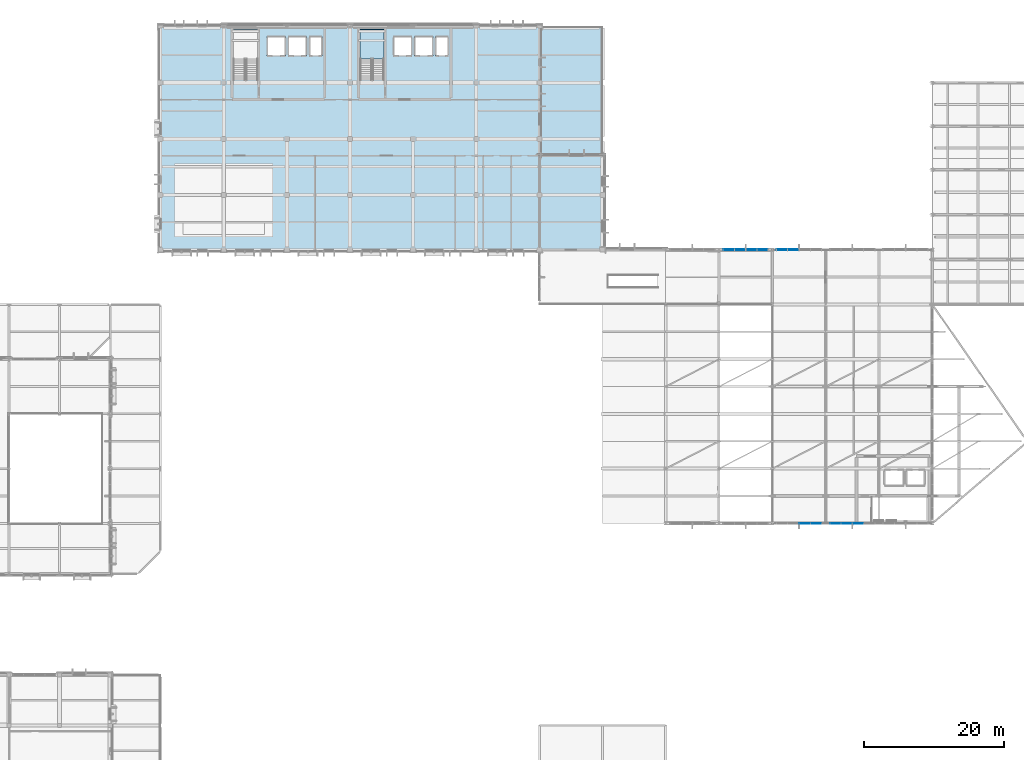
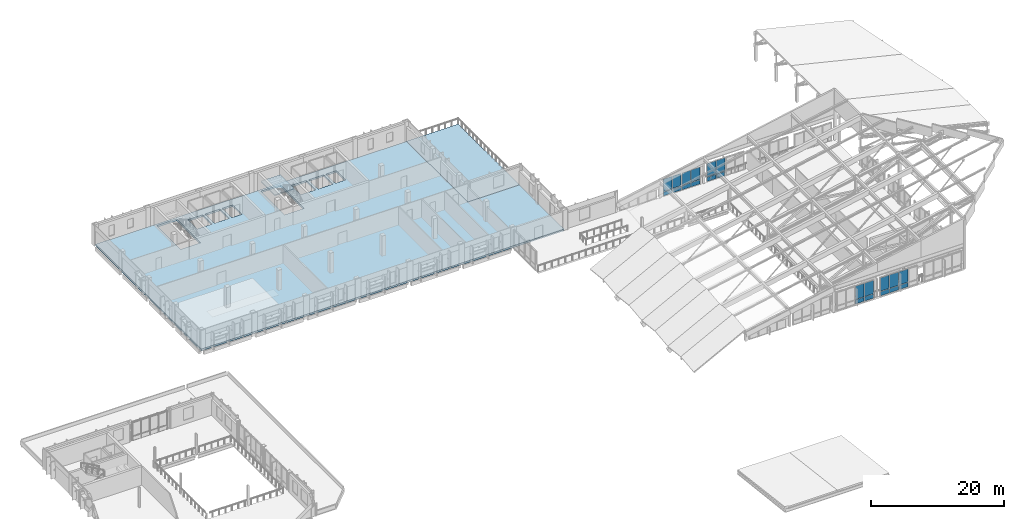
# One storey, part 40 of 73: 22 plates, 3 slabs, 7 elements without a shape of their own.
"""IFC4 building model written with IfcOpenShell, lengths in metres."""

import ifcopenshell
import ifcopenshell.guid

model = None  # the IFC model being written
_history = None  # IfcOwnerHistory: only IFC2X3 demands one
_inside = {}  # id of a spatial element -> (the spatial element, [elements in it])
_under = {}  # id of a project, library or spatial element -> (it, [spatial elements below it])
_declared = {}  # id of a project -> (the project, [libraries it declares])
_typed = {}  # id of a type object -> (the type object, [elements of that type])
_made_of = {}  # id of a material, layer set ... -> (it, [elements and type objects made of it])


def new_model(schema):
    """Start an empty IFC model of exactly this schema.

    Asked for "IFC4X3", IfcOpenShell would pick the latest addendum, in which some entities
    have other attributes; the version numbers below select the first issue.
    IFC2X3 requires an IfcOwnerHistory on every rooted entity: one is made here for all.
    """
    global model, _history
    if schema == "IFC4X3":
        model = ifcopenshell.file(schema_version=(4, 3, 0, 0))
    else:
        model = ifcopenshell.file(schema=schema)
    _inside.clear()
    _under.clear()
    _declared.clear()
    _typed.clear()
    _made_of.clear()
    _history = None
    if model.schema == "IFC2X3":
        org = make("IfcOrganization", Name="unknown")
        user = make(
            "IfcPersonAndOrganization",
            ThePerson=make("IfcPerson", FamilyName="unknown"),
            TheOrganization=org,
        )
        app = make(
            "IfcApplication",
            ApplicationDeveloper=org,
            Version="unknown",
            ApplicationFullName="unknown",
            ApplicationIdentifier="unknown",
        )
        _history = make(
            "IfcOwnerHistory",
            OwningUser=user,
            OwningApplication=app,
            ChangeAction="ADDED",
            CreationDate=0,
        )
    return model


def make(cls, **values):
    """One entity of the class cls with the attributes given. An attribute that is None is left unset."""
    return model.create_entity(
        cls, **{name: value for name, value in values.items() if value is not None}
    )


def rooted(cls, **values):
    """An entity with a GlobalId (a new one), such as an element, a storey or a relation."""
    return make(cls, GlobalId=ifcopenshell.guid.new(), OwnerHistory=_history, **values)


def si_unit(unit_type, name, prefix=None):
    """IfcSIUnit, for example si_unit("LENGTHUNIT", "METRE", prefix="MILLI")."""
    return make("IfcSIUnit", UnitType=unit_type, Prefix=prefix, Name=name)


def assignment(units):
    """IfcUnitAssignment: the units of a project."""
    return None if units is None else make("IfcUnitAssignment", Units=units)


def point(xyz):
    """IfcCartesianPoint."""
    return None if xyz is None else make("IfcCartesianPoint", Coordinates=xyz)


def direction(xyz):
    """IfcDirection."""
    return None if xyz is None else make("IfcDirection", DirectionRatios=xyz)


def frame(location, z_axis=None, x_axis=None):
    """IfcAxis2Placement3D, a coordinate frame: its origin and axes. An axis left out is left unset."""
    return make(
        "IfcAxis2Placement3D",
        Location=point(location),
        Axis=direction(z_axis),
        RefDirection=direction(x_axis),
    )


def frame_2d(location, x_axis=None):
    """IfcAxis2Placement2D, a coordinate frame in the plane: its origin and x axis."""
    return make(
        "IfcAxis2Placement2D", Location=point(location), RefDirection=direction(x_axis)
    )


def origin():
    """The frame at (0, 0, 0) with its axes left unset."""
    return frame((0.0, 0.0, 0.0))


def origin_2d():
    """The frame at (0, 0) in the plane with its x axis left unset."""
    return frame_2d((0.0, 0.0))


def place(relative_to, where):
    """IfcLocalPlacement: puts the frame where relative to a parent placement (None: the world)."""
    return make(
        "IfcLocalPlacement", PlacementRelTo=relative_to, RelativePlacement=where
    )


def context(
    kind, dimensions, precision=None, world=None, true_north=None, identifier=None
):
    """IfcGeometricRepresentationContext, for example the 3D "Model" context."""
    return make(
        "IfcGeometricRepresentationContext",
        ContextIdentifier=identifier,
        ContextType=kind,
        CoordinateSpaceDimension=dimensions,
        Precision=precision,
        WorldCoordinateSystem=world,
        TrueNorth=true_north,
    )


def subcontext(parent, identifier, kind, view, scale=None):
    """IfcGeometricRepresentationSubContext, for example "Body" below "Model"."""
    return make(
        "IfcGeometricRepresentationSubContext",
        ContextIdentifier=identifier,
        ContextType=kind,
        ParentContext=parent,
        TargetScale=scale,
        TargetView=view,
    )


def project(units=None, contexts=None):
    """IfcProject with its units and contexts."""
    return rooted(
        "IfcProject",
        Name="project",
        RepresentationContexts=contexts,
        UnitsInContext=assignment(units),
    )


def spatial(cls, under=None, at=None, **own):
    """A site, building, storey or space (cls), placed at a placement, below another one or the project."""
    s = rooted(cls, ObjectPlacement=at, **own)
    if under is not None:
        _under.setdefault(under.id(), (under, []))[1].append(s)
    return s


def polyline(points):
    """IfcPolyline through the points."""
    return make("IfcPolyline", Points=[point(p) for p in points])


def profile(cls, at=None, kind="AREA", **sizes):
    """A parametric profile (cls). Its sizes go by their IFC names, for example OverallWidth=200.0."""
    return make(cls, ProfileType=kind, Position=at, **sizes)


def rectangle(**sizes):
    """IfcRectangleProfileDef."""
    return profile("IfcRectangleProfileDef", **sizes)


def outline(outer, holes=None, kind="AREA"):
    """IfcArbitraryClosedProfileDef: a profile drawn as a closed curve; with holes, ...WithVoids."""
    if holes is None:
        return make("IfcArbitraryClosedProfileDef", ProfileType=kind, OuterCurve=outer)
    return make(
        "IfcArbitraryProfileDefWithVoids",
        ProfileType=kind,
        OuterCurve=outer,
        InnerCurves=holes,
    )


def extrude(swept, where, along, depth):
    """IfcExtrudedAreaSolid: the profile swept, set in the frame where, extruded along a direction by depth."""
    return make(
        "IfcExtrudedAreaSolid",
        SweptArea=swept,
        Position=where,
        ExtrudedDirection=direction(along),
        Depth=depth,
    )


def shape(context_of_items, identifier, shape_type, items):
    """IfcShapeRepresentation: the items that make up one representation, for example the "Body"."""
    return make(
        "IfcShapeRepresentation",
        ContextOfItems=context_of_items,
        RepresentationIdentifier=identifier,
        RepresentationType=shape_type,
        Items=items,
    )


def material(Name=None, Category=None):
    """IfcMaterial."""
    return make("IfcMaterial", Name=Name, Category=Category)


def layer(
    of_material, thickness, ventilated=None, Name=None, Category=None, Priority=None
):
    """IfcMaterialLayer: one layer of a wall or slab, of a material (None: an air gap)."""
    return make(
        "IfcMaterialLayer",
        Material=of_material,
        LayerThickness=thickness,
        IsVentilated=ventilated,
        Name=Name,
        Category=Category,
        Priority=Priority,
    )


def layer_set(layers, Name=None):
    """IfcMaterialLayerSet."""
    return make("IfcMaterialLayerSet", MaterialLayers=layers, LayerSetName=Name)


def made_of(thing, what):
    """Note that an element or type object is made of a material, layer set ...; save() writes the relation."""
    if what is not None:
        _made_of.setdefault(what.id(), (what, []))[1].append(thing)
    return thing


def type_object(cls, material=None, **own):
    """A type object (cls), such as IfcWallType, which elements share."""
    return made_of(rooted(cls, **own), material)


def element(
    cls,
    number,
    at=None,
    inside=None,
    cuts=None,
    type_object=None,
    material=None,
    context=None,
    identifier="Body",
    shape_type=None,
    held_by="IfcProductDefinitionShape",
    body=None,
    shapes=None,
    **own,
):
    """One element of the class cls, such as IfcWall. Its Tag is "e" and its number.

    at: its placement. inside: the storey or other place that contains it. cuts: it is an
    opening in that element (IfcRelVoidsElement). A single representation is given by context,
    identifier, shape_type and body (its items); several are given by shapes. held_by: the class
    of the entity that holds the representations. save() writes the other relations.
    """
    e = rooted(cls, Tag="e%d" % number, ObjectPlacement=at, **own)
    if body is not None:
        shapes = [shape(context, identifier, shape_type, body)]
    if shapes is not None:
        e.Representation = make(held_by, Representations=shapes)
    if inside is not None:
        _inside.setdefault(inside.id(), (inside, []))[1].append(e)
    if cuts is not None:
        rooted(
            "IfcRelVoidsElement", RelatingBuildingElement=cuts, RelatedOpeningElement=e
        )
    if type_object is not None:
        _typed.setdefault(type_object.id(), (type_object, []))[1].append(e)
    return made_of(e, material)


def aggregate(whole, parts):
    """IfcRelAggregates: a whole, such as a stair, and the parts it consists of."""
    return rooted("IfcRelAggregates", RelatingObject=whole, RelatedObjects=parts)


def save(model, path):
    """Write the relations noted so far, then the file.

    IfcRelAggregates (storeys below a building ...), IfcRelContainedInSpatialStructure (elements
    in a storey), IfcRelDefinesByType, IfcRelAssociatesMaterial and IfcRelDeclares: one each for
    every whole, place, type object, material and project.
    """
    for whole, parts in _under.values():
        aggregate(whole, parts)
    for where, things in _inside.values():
        rooted(
            "IfcRelContainedInSpatialStructure",
            RelatedElements=things,
            RelatingStructure=where,
        )
    for kind, things in _typed.values():
        rooted("IfcRelDefinesByType", RelatedObjects=things, RelatingType=kind)
    for what, things in _made_of.values():
        rooted("IfcRelAssociatesMaterial", RelatedObjects=things, RelatingMaterial=what)
    for by, libraries in _declared.values():
        rooted("IfcRelDeclares", RelatingContext=by, RelatedDefinitions=libraries)
    model.write(path)


model = new_model("IFC4")

# Units and contexts
model_context = context("Model", 3, precision=1e-05, world=origin(), true_north=direction((0.0, 1.0)))
body_context = subcontext(model_context, "Body", "Model", "MODEL_VIEW")
ifc_project = project(units=[si_unit("LENGTHUNIT", "METRE"), si_unit("AREAUNIT", "SQUARE_METRE"), si_unit("VOLUMEUNIT", "CUBIC_METRE"), si_unit("PLANEANGLEUNIT", "RADIAN"), si_unit("MASSUNIT", "GRAM", prefix="KILO")], contexts=[model_context])

# Site, building, storey
site_placement = place(None, origin())
site = spatial("IfcSite", under=ifc_project, at=site_placement, CompositionType="ELEMENT")
building_placement = place(site_placement, origin())
building = spatial("IfcBuilding", under=site, at=building_placement, Name="Vervanel Yard Central Library", CompositionType="ELEMENT")
storey_placement = place(building_placement, frame((0.0, 0.0, 12.780029296875)))
storey = spatial("IfcBuildingStorey", under=building, at=storey_placement, Name="L03", CompositionType="ELEMENT", Elevation=12.780029296875)

# Slab
ifc_material_1 = material(Name="Concrete C45/55", Category="concrete")
ifc_layer_1 = layer(ifc_material_1, 0.330078125, Category="concrete")
ifc_layer_set_1 = layer_set([ifc_layer_1], Name="Concrete C45/55")
slab_type_1 = type_object("IfcSlabType", Name="Compact Archive Floor Slab 330", PredefinedType="FLOOR", material=ifc_layer_set_1)
slab_1_placement = place(storey_placement, frame((0.0, 0.0, -0.330078125)))
element("IfcSlab", 1, at=slab_1_placement, inside=storey, type_object=slab_type_1, Name="L03 V1 Compact Archive Floor Slab 330", PredefinedType="FLOOR", context=body_context, shape_type="SweptSolid", body=[
    extrude(outline(polyline([(36.0, 82.199951171875), (99.0, 82.199951171875), (99.0, 95.60009765625), (90.0, 95.60009765625), (90.0, 114.0), (36.0, 114.0), (36.0, 82.199951171875)]), holes=[polyline([(46.389892578125, 106.43505859375), (49.85009765625, 106.43505859375), (49.85009765625, 113.60009765625), (46.389892578125, 113.60009765625), (46.389892578125, 106.43505859375)]), polyline([(51.199951171875, 109.800048828125), (53.800048828125, 109.800048828125), (53.800048828125, 112.60009765625), (51.199951171875, 112.60009765625), (51.199951171875, 109.800048828125)]), polyline([(54.199951171875, 109.800048828125), (56.800048828125, 109.800048828125), (56.800048828125, 112.60009765625), (54.199951171875, 112.60009765625), (54.199951171875, 109.800048828125)]), polyline([(57.199951171875, 109.800048828125), (59.0, 109.800048828125), (59.0, 112.60009765625), (57.199951171875, 112.60009765625), (57.199951171875, 109.800048828125)]), polyline([(64.449951171875, 106.43505859375), (67.85009765625, 106.43505859375), (67.85009765625, 113.60009765625), (64.449951171875, 113.60009765625), (64.449951171875, 106.43505859375)]), polyline([(69.199951171875, 109.800048828125), (71.800048828125, 109.800048828125), (71.800048828125, 112.60009765625), (69.199951171875, 112.60009765625), (69.199951171875, 109.800048828125)]), polyline([(72.199951171875, 109.800048828125), (74.800048828125, 109.800048828125), (74.800048828125, 112.60009765625), (72.199951171875, 112.60009765625), (72.199951171875, 109.800048828125)]), polyline([(75.199951171875, 109.800048828125), (77.0, 109.800048828125), (77.0, 112.60009765625), (75.199951171875, 112.60009765625), (75.199951171875, 109.800048828125)])]), origin(), (0.0, 0.0, 1.0), 0.330078125),
])

# Stair, slab
ifc_material_2 = material(Name="Concrete C40/50", Category="concrete")
stair_type = type_object("IfcStairType", Name="Protected Core Dog-Leg Stair ST-02", PredefinedType="HALF_TURN_STAIR", material=ifc_material_2)
stair_placement = place(storey_placement, origin())
stair = element("IfcStair", 2, at=stair_placement, inside=storey, type_object=stair_type, Name="L03 CORE-B Protected Exit Stair", PredefinedType="HALF_TURN_STAIR")
ifc_layer_2 = layer(ifc_material_2, 0.199951171875, Category="concrete")
ifc_layer_set_2 = layer_set([ifc_layer_2], Name="Concrete C40/50")
slab_type_2 = type_object("IfcSlabType", Name="Core Stair Concrete Landing Slab 200", PredefinedType="LANDING", material=ifc_layer_set_2)
slab_2_placement = place(storey_placement, frame((0.0, 0.0, 1.669921875)))
slab_2 = element("IfcSlab", 3, at=slab_2_placement, type_object=slab_type_2, Name="ST-02 landing 1", PredefinedType="LANDING", context=body_context, shape_type="SweptSolid", body=[
    extrude(outline(polyline([(67.85009765625, 109.39990234375), (67.85009765625, 113.60009765625), (64.449951171875, 113.60009765625), (64.449951171875, 109.39990234375), (67.85009765625, 109.39990234375)])), origin(), (0.0, 0.0, 1.0), 0.199951171875),
])
aggregate(stair, [slab_2])

# Slab
ifc_layer_3 = layer(ifc_material_2, 0.340087890625, Category="concrete")
ifc_layer_set_3 = layer_set([ifc_layer_3], Name="Concrete C40/50")
slab_type_3 = type_object("IfcSlabType", Name="Planted Roof Garden Terrace Slab 340", PredefinedType="FLOOR", material=ifc_layer_set_3)
slab_3_placement = place(storey_placement, frame((0.0, 0.0, -0.340087890625)))
element("IfcSlab", 4, at=slab_3_placement, inside=storey, type_object=slab_type_3, Name="L03 Humanities Planted Roof Terrace", PredefinedType="FLOOR", context=body_context, shape_type="SweptSolid", body=[
    extrude(outline(polyline([(90.0, 95.60009765625), (99.0, 95.60009765625), (99.0, 114.0), (90.0, 114.0), (90.0, 95.60009765625)])), origin(), (0.0, 0.0, 1.0), 0.340087890625),
])

# Curtain wall, plates
ifc_material_3 = material(Name="Thermally broken anodized aluminium 6063-T6", Category="aluminium")
curtain_wall_type = type_object("IfcCurtainWallType", Name="Prow Cantilever Glazed Curtain Wall", PredefinedType="NOTDEFINED", material=ifc_material_3)
curtain_wall_1_placement = place(storey_placement, origin())
curtain_wall_1 = element("IfcCurtainWall", 5, at=curtain_wall_1_placement, inside=storey, type_object=curtain_wall_type, Name="L03 Prow Cantilever Glazed Curtain Wall CWR-L03-081", PredefinedType="NOTDEFINED")
ifc_material_4 = material(Name="Double low-E laminated solar-control glass", Category="glass")
ifc_layer_4 = layer(ifc_material_4, 0.0380859375, Category="glass")
ifc_layer_set_4 = layer_set([ifc_layer_4], Name="Double low-E laminated solar-control glass")
plate_type_1 = type_object("IfcPlateType", Name="Reading Hall Acoustic Vision Panel 38", PredefinedType="CURTAIN_PANEL", material=ifc_layer_set_4)
plate_1_placement = place(storey_placement, frame((127.827392578125, 43.199951171875, 0.884765625), z_axis=(0.0, 0.0, 1.0), x_axis=(1.0, 0.0, 0.0)))
plate_1 = element("IfcPlate", 6, at=plate_1_placement, type_object=plate_type_1, Name="CWR-L03-081 Panel B1-2", PredefinedType="CURTAIN_PANEL", context=body_context, shape_type="SweptSolid", body=[
    extrude(rectangle(XDim=1.514892578125, YDim=0.0380859375, at=origin_2d()), origin(), (0.0, 0.0, 1.0), 2.445068359375),
])
plate_2_placement = place(storey_placement, frame((129.41259765625, 43.199951171875, 0.884765625), z_axis=(0.0, 0.0, 1.0), x_axis=(1.0, 0.0, 0.0)))
plate_2 = element("IfcPlate", 7, at=plate_2_placement, type_object=plate_type_1, Name="CWR-L03-081 Panel B2-2", PredefinedType="CURTAIN_PANEL", context=body_context, shape_type="SweptSolid", body=[
    extrude(rectangle(XDim=1.514892578125, YDim=0.0380859375, at=origin_2d()), origin(), (0.0, 0.0, 1.0), 2.445068359375),
])

curtain_wall_2_placement = place(storey_placement, origin())
curtain_wall_2 = element("IfcCurtainWall", 8, at=curtain_wall_2_placement, inside=storey, type_object=curtain_wall_type, Name="L03 Prow Cantilever Glazed Curtain Wall CWR-L03-082", PredefinedType="NOTDEFINED")
plate_3_placement = place(storey_placement, frame((132.1875, 43.199951171875, 0.884765625), z_axis=(0.0, 0.0, 1.0), x_axis=(1.0, 0.0, 0.0)))
plate_3 = element("IfcPlate", 9, at=plate_3_placement, type_object=plate_type_1, Name="CWR-L03-082 Panel B1-2", PredefinedType="CURTAIN_PANEL", context=body_context, shape_type="SweptSolid", body=[
    extrude(rectangle(XDim=1.514892578125, YDim=0.0380859375, at=origin_2d()), origin(), (0.0, 0.0, 1.0), 2.445068359375),
])
plate_4_placement = place(storey_placement, frame((133.7724609375, 43.199951171875, 0.884765625), z_axis=(0.0, 0.0, 1.0), x_axis=(1.0, 0.0, 0.0)))
plate_4 = element("IfcPlate", 10, at=plate_4_placement, type_object=plate_type_1, Name="CWR-L03-082 Panel B2-2", PredefinedType="CURTAIN_PANEL", context=body_context, shape_type="SweptSolid", body=[
    extrude(rectangle(XDim=1.514892578125, YDim=0.0380859375, at=origin_2d()), origin(), (0.0, 0.0, 1.0), 2.445068359375),
])

# Curtain wall, plate
curtain_wall_3_placement = place(storey_placement, origin())
curtain_wall_3 = element("IfcCurtainWall", 11, at=curtain_wall_3_placement, inside=storey, type_object=curtain_wall_type, Name="L03 Prow Cantilever Glazed Curtain Wall CWR-L03-083", PredefinedType="NOTDEFINED")
plate_5_placement = place(storey_placement, frame((135.427490234375, 43.199951171875, 0.884765625), z_axis=(0.0, 0.0, 1.0), x_axis=(1.0, 0.0, 0.0)))
plate_5 = element("IfcPlate", 12, at=plate_5_placement, type_object=plate_type_1, Name="CWR-L03-083 Panel B1-2", PredefinedType="CURTAIN_PANEL", context=body_context, shape_type="SweptSolid", body=[
    extrude(rectangle(XDim=1.514892578125, YDim=0.0380859375, at=origin_2d()), origin(), (0.0, 0.0, 1.0), 2.445068359375),
])

# Curtain wall, plates
curtain_wall_4_placement = place(storey_placement, origin())
curtain_wall_4 = element("IfcCurtainWall", 13, at=curtain_wall_4_placement, inside=storey, type_object=curtain_wall_type, Name="L03 Prow Cantilever Glazed Curtain Wall CWR-L03-110", PredefinedType="NOTDEFINED")
plate_6_placement = place(storey_placement, frame((116.987548828125, 82.199951171875, 0.885009765625), z_axis=(0.0, 0.0, 1.0), x_axis=(1.0, 0.0, 0.0)))
plate_6 = element("IfcPlate", 14, at=plate_6_placement, type_object=plate_type_1, Name="CWR-L03-110 Panel B1-2", PredefinedType="CURTAIN_PANEL", context=body_context, shape_type="SweptSolid", body=[
    extrude(rectangle(XDim=1.514892578125, YDim=0.0380859375, at=origin_2d()), origin(), (0.0, 0.0, 1.0), 2.2421875),
])
plate_7_placement = place(storey_placement, frame((118.572509765625, 82.199951171875, 0.885009765625), z_axis=(0.0, 0.0, 1.0), x_axis=(1.0, 0.0, 0.0)))
plate_7 = element("IfcPlate", 15, at=plate_7_placement, type_object=plate_type_1, Name="CWR-L03-110 Panel B2-2", PredefinedType="CURTAIN_PANEL", context=body_context, shape_type="SweptSolid", body=[
    extrude(rectangle(XDim=1.514892578125, YDim=0.0380859375, at=origin_2d()), origin(), (0.0, 0.0, 1.0), 2.2421875),
])

curtain_wall_5_placement = place(storey_placement, origin())
curtain_wall_5 = element("IfcCurtainWall", 16, at=curtain_wall_5_placement, inside=storey, type_object=curtain_wall_type, Name="L03 Prow Cantilever Glazed Curtain Wall CWR-L03-111", PredefinedType="NOTDEFINED")
plate_8_placement = place(storey_placement, frame((120.2275390625, 82.199951171875, 0.885009765625), z_axis=(0.0, 0.0, 1.0), x_axis=(1.0, 0.0, 0.0)))
plate_8 = element("IfcPlate", 17, at=plate_8_placement, type_object=plate_type_1, Name="CWR-L03-111 Panel B1-2", PredefinedType="CURTAIN_PANEL", context=body_context, shape_type="SweptSolid", body=[
    extrude(rectangle(XDim=1.514892578125, YDim=0.0380859375, at=origin_2d()), origin(), (0.0, 0.0, 1.0), 2.2421875),
])
plate_9_placement = place(storey_placement, frame((121.8125, 82.199951171875, 0.885009765625), z_axis=(0.0, 0.0, 1.0), x_axis=(1.0, 0.0, 0.0)))
plate_9 = element("IfcPlate", 18, at=plate_9_placement, type_object=plate_type_1, Name="CWR-L03-111 Panel B2-2", PredefinedType="CURTAIN_PANEL", context=body_context, shape_type="SweptSolid", body=[
    extrude(rectangle(XDim=1.514892578125, YDim=0.0380859375, at=origin_2d()), origin(), (0.0, 0.0, 1.0), 2.2421875),
])

curtain_wall_6_placement = place(storey_placement, origin())
curtain_wall_6 = element("IfcCurtainWall", 19, at=curtain_wall_6_placement, inside=storey, type_object=curtain_wall_type, Name="L03 Prow Cantilever Glazed Curtain Wall CWR-L03-112", PredefinedType="NOTDEFINED")
plate_10_placement = place(storey_placement, frame((124.58740234375, 82.199951171875, 0.884765625), z_axis=(0.0, 0.0, 1.0), x_axis=(1.0, 0.0, 0.0)))
plate_10 = element("IfcPlate", 20, at=plate_10_placement, type_object=plate_type_1, Name="CWR-L03-112 Panel B1-2", PredefinedType="CURTAIN_PANEL", context=body_context, shape_type="SweptSolid", body=[
    extrude(rectangle(XDim=1.514892578125, YDim=0.0380859375, at=origin_2d()), origin(), (0.0, 0.0, 1.0), 2.445068359375),
])
plate_11_placement = place(storey_placement, frame((126.172607421875, 82.199951171875, 0.884765625), z_axis=(0.0, 0.0, 1.0), x_axis=(1.0, 0.0, 0.0)))
plate_11 = element("IfcPlate", 21, at=plate_11_placement, type_object=plate_type_1, Name="CWR-L03-112 Panel B2-2", PredefinedType="CURTAIN_PANEL", context=body_context, shape_type="SweptSolid", body=[
    extrude(rectangle(XDim=1.514892578125, YDim=0.0380859375, at=origin_2d()), origin(), (0.0, 0.0, 1.0), 2.445068359375),
])

# Plate
ifc_material_5 = material(Name="Insulated bronze aluminium spandrel panel", Category="aluminium")
ifc_layer_5 = layer(ifc_material_5, 0.094970703125, Category="aluminium")
ifc_layer_set_5 = layer_set([ifc_layer_5], Name="Insulated bronze aluminium spandrel panel")
plate_type_2 = type_object("IfcPlateType", Name="Reading Hall Shadow-Box Spandrel 95", PredefinedType="CURTAIN_PANEL", material=ifc_layer_set_5)
plate_12_placement = place(storey_placement, frame((127.827392578125, 43.199951171875, 0.06982421875), z_axis=(0.0, 0.0, 1.0), x_axis=(1.0, 0.0, 0.0)))
plate_12 = element("IfcPlate", 22, at=plate_12_placement, type_object=plate_type_2, Name="CWR-L03-081 Panel B1-1", PredefinedType="CURTAIN_PANEL", context=body_context, shape_type="SweptSolid", body=[
    extrude(rectangle(XDim=1.514892578125, YDim=0.094970703125, at=origin_2d()), origin(), (0.0, 0.0, 1.0), 0.7451171875),
])

plate_13_placement = place(storey_placement, frame((129.41259765625, 43.199951171875, 0.06982421875), z_axis=(0.0, 0.0, 1.0), x_axis=(1.0, 0.0, 0.0)))
plate_13 = element("IfcPlate", 23, at=plate_13_placement, type_object=plate_type_2, Name="CWR-L03-081 Panel B2-1", PredefinedType="CURTAIN_PANEL", context=body_context, shape_type="SweptSolid", body=[
    extrude(rectangle(XDim=1.514892578125, YDim=0.094970703125, at=origin_2d()), origin(), (0.0, 0.0, 1.0), 0.7451171875),
])

aggregate(curtain_wall_1, [plate_12, plate_1, plate_13, plate_2])

plate_14_placement = place(storey_placement, frame((132.1875, 43.199951171875, 0.06982421875), z_axis=(0.0, 0.0, 1.0), x_axis=(1.0, 0.0, 0.0)))
plate_14 = element("IfcPlate", 24, at=plate_14_placement, type_object=plate_type_2, Name="CWR-L03-082 Panel B1-1", PredefinedType="CURTAIN_PANEL", context=body_context, shape_type="SweptSolid", body=[
    extrude(rectangle(XDim=1.514892578125, YDim=0.094970703125, at=origin_2d()), origin(), (0.0, 0.0, 1.0), 0.7451171875),
])

plate_15_placement = place(storey_placement, frame((133.7724609375, 43.199951171875, 0.06982421875), z_axis=(0.0, 0.0, 1.0), x_axis=(1.0, 0.0, 0.0)))
plate_15 = element("IfcPlate", 25, at=plate_15_placement, type_object=plate_type_2, Name="CWR-L03-082 Panel B2-1", PredefinedType="CURTAIN_PANEL", context=body_context, shape_type="SweptSolid", body=[
    extrude(rectangle(XDim=1.514892578125, YDim=0.094970703125, at=origin_2d()), origin(), (0.0, 0.0, 1.0), 0.7451171875),
])

aggregate(curtain_wall_2, [plate_14, plate_3, plate_15, plate_4])

plate_16_placement = place(storey_placement, frame((135.427490234375, 43.199951171875, 0.06982421875), z_axis=(0.0, 0.0, 1.0), x_axis=(1.0, 0.0, 0.0)))
plate_16 = element("IfcPlate", 26, at=plate_16_placement, type_object=plate_type_2, Name="CWR-L03-083 Panel B1-1", PredefinedType="CURTAIN_PANEL", context=body_context, shape_type="SweptSolid", body=[
    extrude(rectangle(XDim=1.514892578125, YDim=0.094970703125, at=origin_2d()), origin(), (0.0, 0.0, 1.0), 0.7451171875),
])

aggregate(curtain_wall_3, [plate_16, plate_5])

plate_17_placement = place(storey_placement, frame((116.987548828125, 82.199951171875, 0.06982421875), z_axis=(0.0, 0.0, 1.0), x_axis=(1.0, 0.0, 0.0)))
plate_17 = element("IfcPlate", 27, at=plate_17_placement, type_object=plate_type_2, Name="CWR-L03-110 Panel B1-1", PredefinedType="CURTAIN_PANEL", context=body_context, shape_type="SweptSolid", body=[
    extrude(rectangle(XDim=1.514892578125, YDim=0.094970703125, at=origin_2d()), origin(), (0.0, 0.0, 1.0), 0.7451171875),
])

plate_18_placement = place(storey_placement, frame((118.572509765625, 82.199951171875, 0.06982421875), z_axis=(0.0, 0.0, 1.0), x_axis=(1.0, 0.0, 0.0)))
plate_18 = element("IfcPlate", 28, at=plate_18_placement, type_object=plate_type_2, Name="CWR-L03-110 Panel B2-1", PredefinedType="CURTAIN_PANEL", context=body_context, shape_type="SweptSolid", body=[
    extrude(rectangle(XDim=1.514892578125, YDim=0.094970703125, at=origin_2d()), origin(), (0.0, 0.0, 1.0), 0.7451171875),
])

aggregate(curtain_wall_4, [plate_17, plate_6, plate_18, plate_7])

plate_19_placement = place(storey_placement, frame((120.2275390625, 82.199951171875, 0.06982421875), z_axis=(0.0, 0.0, 1.0), x_axis=(1.0, 0.0, 0.0)))
plate_19 = element("IfcPlate", 29, at=plate_19_placement, type_object=plate_type_2, Name="CWR-L03-111 Panel B1-1", PredefinedType="CURTAIN_PANEL", context=body_context, shape_type="SweptSolid", body=[
    extrude(rectangle(XDim=1.514892578125, YDim=0.094970703125, at=origin_2d()), origin(), (0.0, 0.0, 1.0), 0.7451171875),
])

plate_20_placement = place(storey_placement, frame((121.8125, 82.199951171875, 0.06982421875), z_axis=(0.0, 0.0, 1.0), x_axis=(1.0, 0.0, 0.0)))
plate_20 = element("IfcPlate", 30, at=plate_20_placement, type_object=plate_type_2, Name="CWR-L03-111 Panel B2-1", PredefinedType="CURTAIN_PANEL", context=body_context, shape_type="SweptSolid", body=[
    extrude(rectangle(XDim=1.514892578125, YDim=0.094970703125, at=origin_2d()), origin(), (0.0, 0.0, 1.0), 0.7451171875),
])

aggregate(curtain_wall_5, [plate_19, plate_8, plate_20, plate_9])

plate_21_placement = place(storey_placement, frame((124.58740234375, 82.199951171875, 0.06982421875), z_axis=(0.0, 0.0, 1.0), x_axis=(1.0, 0.0, 0.0)))
plate_21 = element("IfcPlate", 31, at=plate_21_placement, type_object=plate_type_2, Name="CWR-L03-112 Panel B1-1", PredefinedType="CURTAIN_PANEL", context=body_context, shape_type="SweptSolid", body=[
    extrude(rectangle(XDim=1.514892578125, YDim=0.094970703125, at=origin_2d()), origin(), (0.0, 0.0, 1.0), 0.7451171875),
])

plate_22_placement = place(storey_placement, frame((126.172607421875, 82.199951171875, 0.06982421875), z_axis=(0.0, 0.0, 1.0), x_axis=(1.0, 0.0, 0.0)))
plate_22 = element("IfcPlate", 32, at=plate_22_placement, type_object=plate_type_2, Name="CWR-L03-112 Panel B2-1", PredefinedType="CURTAIN_PANEL", context=body_context, shape_type="SweptSolid", body=[
    extrude(rectangle(XDim=1.514892578125, YDim=0.094970703125, at=origin_2d()), origin(), (0.0, 0.0, 1.0), 0.7451171875),
])

aggregate(curtain_wall_6, [plate_21, plate_10, plate_22, plate_11])

save(model, "model.ifc")
